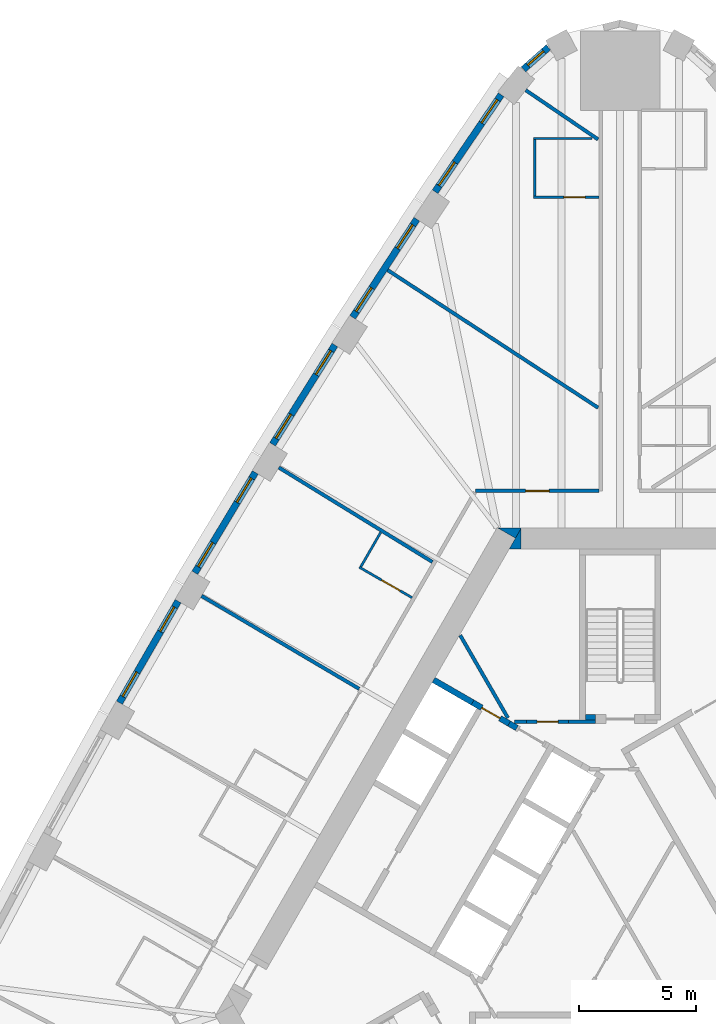
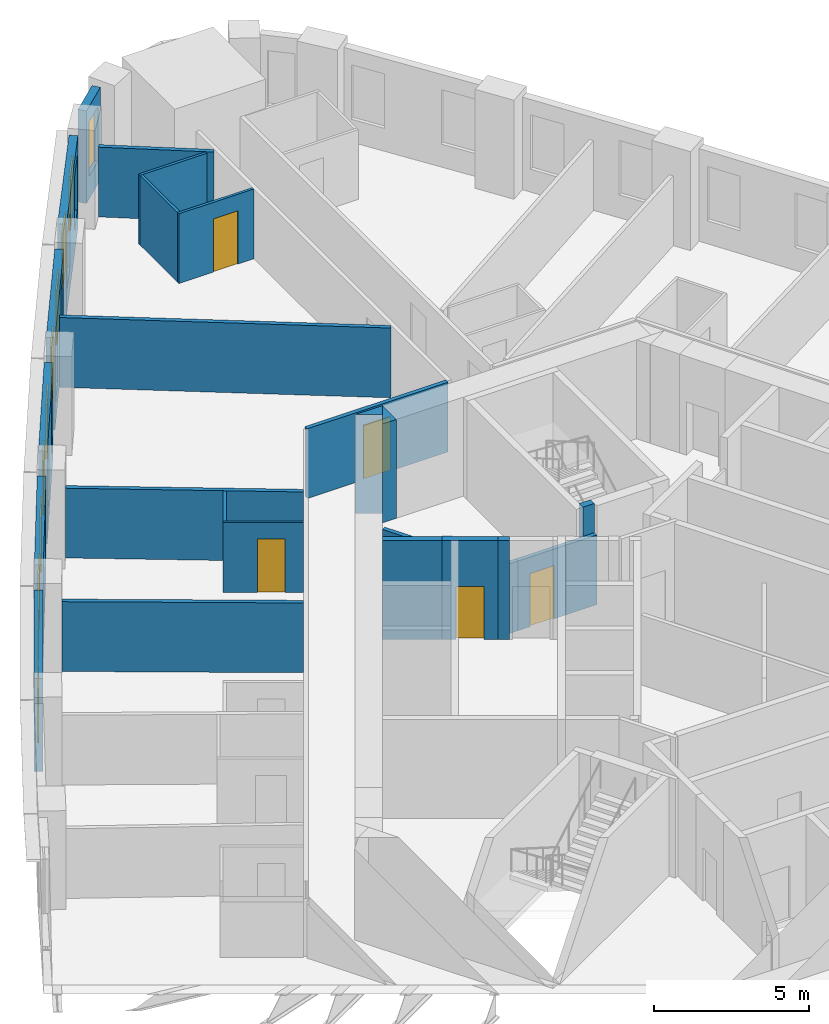
# One storey, part 9 of 12: 26 walls, 11 windows, 5 doors, 16 openings.
"""IFC4 building model written with IfcOpenShell, lengths in metres."""

from ifc_helpers import new_model, si_unit, direction, frame, frame_2d, origin, place, context, subcontext, project, spatial, polyline, rectangle, outline, extrude, material, layer, layer_set, type_object, element, fill, save


model = new_model("IFC4")

# Units and contexts
model_context = context("Model", 3, precision=1e-05, world=origin(), true_north=direction((0.0, 1.0)))
body_context = subcontext(model_context, "Body", "Model", "MODEL_VIEW")
ifc_project = project(units=[si_unit("LENGTHUNIT", "METRE"), si_unit("AREAUNIT", "SQUARE_METRE"), si_unit("VOLUMEUNIT", "CUBIC_METRE"), si_unit("PLANEANGLEUNIT", "RADIAN"), si_unit("MASSUNIT", "GRAM", prefix="KILO")], contexts=[model_context])

# Site, building, storey
site_placement = place(None, origin())
site = spatial("IfcSite", under=ifc_project, at=site_placement, CompositionType="ELEMENT")
building_placement = place(site_placement, origin())
building = spatial("IfcBuilding", under=site, at=building_placement, Name="Mestral Congress Tower", CompositionType="ELEMENT")
storey_placement = place(building_placement, frame((0.0, 0.0, 47.10009765625)))
storey = spatial("IfcBuildingStorey", under=building, at=storey_placement, Name="L10", CompositionType="ELEMENT", Elevation=47.10009765625)

# Walls
ifc_material_1 = material(Name="Fire-rated board partition")
ifc_layer_1 = layer(ifc_material_1, 0.14990234375)
ifc_layer_set_1 = layer_set([ifc_layer_1], Name="Fire-rated board partition")
wall_type_1 = type_object("IfcWallType", Name="Core partition 150", PredefinedType="PARTITIONING", material=ifc_layer_set_1)
wall_1_placement = place(storey_placement, frame((-2.195068359375, 8.62548828125, 0.0), z_axis=(0.0, 0.0, 1.0), x_axis=(1.0, 0.0, 0.0)))
element("IfcWall", 1, at=wall_1_placement, inside=storey, type_object=wall_type_1, Name="L10 core wall", PredefinedType="PARTITIONING", context=body_context, shape_type="SweptSolid", body=[
    extrude(rectangle(XDim=1.14501953125, YDim=0.14990234375, at=frame_2d((0.572509765625, 0.0))), origin(), (0.0, 0.0, 1.0), 2.75),
])
wall_2_placement = place(storey_placement, frame((-6.8232421875, 12.318115234375, 0.0), z_axis=(0.0, 0.0, 1.0), x_axis=(0.500007885066, -0.866020851292, 0.0)))
element("IfcWall", 2, at=wall_2_placement, inside=storey, type_object=wall_type_1, Name="L10 core wall", PredefinedType="PARTITIONING", context=body_context, shape_type="SweptSolid", body=[
    extrude(rectangle(XDim=4.072265625, YDim=0.14990234375, at=frame_2d((2.0361328125, 0.0))), origin(), (0.0, 0.0, 1.0), 2.75),
])
wall_3_placement = place(storey_placement, frame((-4.497802734375, 8.625244140625, 0.0), z_axis=(0.0, 0.0, 1.0), x_axis=(1.0, 0.0, 0.0)))
element("IfcWall", 3, at=wall_3_placement, inside=storey, type_object=wall_type_1, Name="L10 core wall", PredefinedType="PARTITIONING", context=body_context, shape_type="SweptSolid", body=[
    extrude(rectangle(XDim=0.50244140625, YDim=0.14990234375, at=frame_2d((0.251220703125, 0.0))), origin(), (0.0, 0.0, 1.0), 2.75),
])

# Wall, opening, door
wall_4_placement = place(storey_placement, frame((-2.1953125, 8.625, 0.0), z_axis=(0.0, 0.0, 1.0), x_axis=(-1.0, 0.0, 0.0)))
wall_4 = element("IfcWall", 4, at=wall_4_placement, inside=storey, type_object=wall_type_1, Name="L10 door wall", PredefinedType="PARTITIONING", context=body_context, shape_type="SweptSolid", body=[
    extrude(rectangle(XDim=1.7998046875, YDim=0.14990234375, at=frame_2d((0.89990234375, 0.0))), origin(), (0.0, 0.0, 1.0), 2.75),
])
opening_1_placement = place(wall_4_placement, frame((0.449951171875, 0.0, 0.0)))
opening_1 = element("IfcOpeningElement", 5, at=opening_1_placement, cuts=wall_4, Name="Opening TD2", PredefinedType="OPENING", context=body_context, shape_type="SweptSolid", body=[
    extrude(rectangle(XDim=0.89990234375, YDim=2.10009765625, at=frame_2d((0.449951171875, 1.050048828125))), frame((0.0, 0.0849609375, 0.0), z_axis=(0.0, -1.0, 0.0), x_axis=(1.0, 0.0, 0.0)), (0.0, 0.0, 1.0), 0.169921875),
])
ifc_material_2 = material(Name="Fire-rated steel door set", Category="steel")
door_type_1 = type_object("IfcDoorType", Name="Core door SR 900x2100", OperationType="SINGLE_SWING_LEFT", PredefinedType="DOOR", material=ifc_material_2)
door_1_placement = place(opening_1_placement, origin())
door_1 = element("IfcDoor", 6, at=door_1_placement, inside=storey, type_object=door_type_1, Name="Door TD2", OperationType="SINGLE_SWING_LEFT", OverallHeight=2.10009765625, OverallWidth=0.89990234375, PredefinedType="DOOR", context=body_context, shape_type="SweptSolid", body=[
    extrude(rectangle(XDim=0.89990234375, YDim=2.10009765625, at=frame_2d((0.449951171875, 1.050048828125))), frame((0.0, 0.02490234375, 0.0), z_axis=(0.0, -1.0, 0.0), x_axis=(1.0, 0.0, 0.0)), (0.0, 0.0, 1.0), 0.050048828125),
])
fill(opening_1, door_1)

# Walls
ifc_material_3 = material(Name="Concrete C60/75", Category="concrete")
ifc_layer_2 = layer(ifc_material_3, 0.89990234375)
ifc_layer_set_2 = layer_set([ifc_layer_2], Name="Concrete C60/75")
wall_type_2 = type_object("IfcWallType", Name="Core wall RC 900", PredefinedType="SOLIDWALL", material=ifc_layer_set_2)
placement = place(storey_placement, origin())
element("IfcWall", 7, at=placement, inside=storey, type_object=wall_type_2, Name="L10 core wall", PredefinedType="SOLIDWALL", context=body_context, shape_type="SweptSolid", body=[
    extrude(outline(polyline([(-4.214599609375, 16.89990234375), (-4.46875, 16.460205078125), (-5.230712890625, 16.89990234375), (-4.214599609375, 16.89990234375)])), origin(), (0.0, 0.0, 1.0), 3.89990234375),
])
element("IfcWall", 8, at=placement, inside=storey, type_object=wall_type_2, Name="L10 core wall", PredefinedType="SOLIDWALL", context=body_context, shape_type="SweptSolid", body=[
    extrude(outline(polyline([(-4.734375, 16.0), (-4.226318359375, 16.8798828125), (-4.226318359375, 16.0), (-4.734375, 16.0)])), origin(), (0.0, 0.0, 1.0), 3.89990234375),
])

# Wall, opening, window
ifc_material_4 = material(Name="Precast concrete C40/50 with limestone facing", Category="masonry")
ifc_layer_3 = layer(ifc_material_4, 0.2900390625)
ifc_layer_set_3 = layer_set([ifc_layer_3], Name="Precast concrete C40/50 with limestone facing")
wall_type_3 = type_object("IfcWallType", Name="Facade stone wall 290", PredefinedType="SOLIDWALL", material=ifc_layer_set_3)
wall_7_placement = place(storey_placement, frame((-3.064453125, 37.395263671875, 0.0), z_axis=(0.0, 0.0, 1.0), x_axis=(-0.749812680302, -0.661650167731, 0.0)))
wall_7 = element("IfcWall", 9, at=wall_7_placement, inside=storey, type_object=wall_type_3, Name="Facade wall K1-3", PredefinedType="SOLIDWALL", context=body_context, shape_type="SweptSolid", body=[
    extrude(rectangle(XDim=1.4150390625, YDim=0.2900390625, at=frame_2d((0.70751953125, 0.0))), origin(), (0.0, 0.0, 1.0), 3.64990234375),
])
opening_2_placement = place(wall_7_placement, frame((0.257568359375, 0.0, 0.89990234375)))
opening_2 = element("IfcOpeningElement", 10, at=opening_2_placement, cuts=wall_7, Name="Opening W3", PredefinedType="OPENING", context=body_context, shape_type="SweptSolid", body=[
    extrude(rectangle(XDim=0.89990234375, YDim=2.14990234375, at=frame_2d((0.449951171875, 1.074951171875))), frame((0.0, 0.155029296875, 0.0), z_axis=(0.0, -1.0, 0.0), x_axis=(1.0, 0.0, 0.0)), (0.0, 0.0, 1.0), 0.31005859375),
])
ifc_material_5 = material(Name="Clear low-emissivity double glazing", Category="glass")
window_type_1 = type_object("IfcWindowType", Name="Facade punched window 900 x 2150 sill 900", PartitioningType="SINGLE_PANEL", PredefinedType="WINDOW", material=ifc_material_5)
window_1_placement = place(opening_2_placement, origin())
window_1 = element("IfcWindow", 11, at=window_1_placement, inside=storey, type_object=window_type_1, Name="Window K1-3", OverallHeight=2.14990234375, OverallWidth=0.89990234375, PartitioningType="SINGLE_PANEL", PredefinedType="WINDOW", context=body_context, shape_type="SweptSolid", body=[
    extrude(rectangle(XDim=0.89990234375, YDim=2.14990234375, at=frame_2d((0.449951171875, 1.074951171875))), frame((0.0, 0.01513671875, 0.0), z_axis=(0.0, -1.0, 0.0), x_axis=(1.0, 0.0, 0.0)), (0.0, 0.0, 1.0), 0.06005859375),
])
fill(opening_2, window_1)

# Wall, openings, windows
wall_8_placement = place(storey_placement, frame((-5.078369140625, 35.37646484375, 0.0), z_axis=(0.0, 0.0, 1.0), x_axis=(-0.562610153679, -0.826722332454, 0.0)))
wall_8 = element("IfcWall", 12, at=wall_8_placement, inside=storey, type_object=wall_type_3, Name="Facade wall F2-00", PredefinedType="SOLIDWALL", context=body_context, shape_type="SweptSolid", body=[
    extrude(rectangle(XDim=5.005615234375, YDim=0.2900390625, at=frame_2d((2.5029296875, 0.0))), origin(), (0.0, 0.0, 1.0), 3.64990234375),
])
opening_3_placement = place(wall_8_placement, frame((0.26513671875, 0.0, 0.89990234375)))
opening_3 = element("IfcOpeningElement", 13, at=opening_3_placement, cuts=wall_8, Name="Opening W1", PredefinedType="OPENING", context=body_context, shape_type="SweptSolid", body=[
    extrude(rectangle(XDim=1.199951171875, YDim=2.14990234375, at=frame_2d((0.60009765625, 1.074951171875))), frame((0.0, 0.155029296875, 0.0), z_axis=(0.0, -1.0, 0.0), x_axis=(1.0, 0.0, 0.0)), (0.0, 0.0, 1.0), 0.31005859375),
])
opening_4_placement = place(wall_8_placement, frame((3.495361328125, 0.0, 0.89990234375)))
opening_4 = element("IfcOpeningElement", 14, at=opening_4_placement, cuts=wall_8, Name="Opening W1", PredefinedType="OPENING", context=body_context, shape_type="SweptSolid", body=[
    extrude(rectangle(XDim=1.199951171875, YDim=2.14990234375, at=frame_2d((0.60009765625, 1.074951171875))), frame((0.0, 0.155029296875, 0.0), z_axis=(0.0, -1.0, 0.0), x_axis=(1.0, 0.0, 0.0)), (0.0, 0.0, 1.0), 0.31005859375),
])
window_type_2 = type_object("IfcWindowType", Name="Facade punched window 1200 x 2150 sill 900", PartitioningType="DOUBLE_PANEL_VERTICAL", PredefinedType="WINDOW", material=ifc_material_5)
window_2_placement = place(opening_3_placement, origin())
window_2 = element("IfcWindow", 15, at=window_2_placement, inside=storey, type_object=window_type_2, Name="Window F2-00a", OverallHeight=2.14990234375, OverallWidth=1.199951171875, PartitioningType="DOUBLE_PANEL_VERTICAL", PredefinedType="WINDOW", context=body_context, shape_type="SweptSolid", body=[
    extrude(rectangle(XDim=1.199951171875, YDim=2.14990234375, at=frame_2d((0.60009765625, 1.074951171875))), frame((0.0, 0.01513671875, 0.0), z_axis=(0.0, -1.0, 0.0), x_axis=(1.0, 0.0, 0.0)), (0.0, 0.0, 1.0), 0.06005859375),
])
fill(opening_3, window_2)
window_3_placement = place(opening_4_placement, origin())
window_3 = element("IfcWindow", 16, at=window_3_placement, inside=storey, type_object=window_type_2, Name="Window F2-00b", OverallHeight=2.14990234375, OverallWidth=1.199951171875, PartitioningType="DOUBLE_PANEL_VERTICAL", PredefinedType="WINDOW", context=body_context, shape_type="SweptSolid", body=[
    extrude(rectangle(XDim=1.199951171875, YDim=2.14990234375, at=frame_2d((0.60009765625, 1.074951171875))), frame((0.0, 0.01513671875, 0.0), z_axis=(0.0, -1.0, 0.0), x_axis=(1.0, 0.0, 0.0)), (0.0, 0.0, 1.0), 0.06005859375),
])
fill(opening_4, window_3)

wall_9_placement = place(storey_placement, frame((-8.675537109375, 30.067626953125, 0.0), z_axis=(0.0, 0.0, 1.0), x_axis=(-0.547204617628, -0.836998868845, 0.0)))
wall_9 = element("IfcWall", 17, at=wall_9_placement, inside=storey, type_object=wall_type_3, Name="Facade wall F2-01", PredefinedType="SOLIDWALL", context=body_context, shape_type="SweptSolid", body=[
    extrude(rectangle(XDim=4.998291015625, YDim=0.2900390625, at=frame_2d((2.4990234375, 0.0))), origin(), (0.0, 0.0, 1.0), 3.64990234375),
])
opening_5_placement = place(wall_9_placement, frame((0.297119140625, 0.0, 0.89990234375)))
opening_5 = element("IfcOpeningElement", 18, at=opening_5_placement, cuts=wall_9, Name="Opening W1", PredefinedType="OPENING", context=body_context, shape_type="SweptSolid", body=[
    extrude(rectangle(XDim=1.199951171875, YDim=2.14990234375, at=frame_2d((0.60009765625, 1.074951171875))), frame((0.0, 0.155029296875, 0.0), z_axis=(0.0, -1.0, 0.0), x_axis=(1.0, 0.0, 0.0)), (0.0, 0.0, 1.0), 0.31005859375),
])
opening_6_placement = place(wall_9_placement, frame((3.501220703125, 0.0, 0.89990234375)))
opening_6 = element("IfcOpeningElement", 19, at=opening_6_placement, cuts=wall_9, Name="Opening W1", PredefinedType="OPENING", context=body_context, shape_type="SweptSolid", body=[
    extrude(rectangle(XDim=1.199951171875, YDim=2.14990234375, at=frame_2d((0.60009765625, 1.074951171875))), frame((0.0, 0.155029296875, 0.0), z_axis=(0.0, -1.0, 0.0), x_axis=(1.0, 0.0, 0.0)), (0.0, 0.0, 1.0), 0.31005859375),
])
window_4_placement = place(opening_5_placement, origin())
window_4 = element("IfcWindow", 20, at=window_4_placement, inside=storey, type_object=window_type_2, Name="Window F2-01a", OverallHeight=2.14990234375, OverallWidth=1.199951171875, PartitioningType="DOUBLE_PANEL_VERTICAL", PredefinedType="WINDOW", context=body_context, shape_type="SweptSolid", body=[
    extrude(rectangle(XDim=1.199951171875, YDim=2.14990234375, at=frame_2d((0.60009765625, 1.074951171875))), frame((0.0, 0.01513671875, 0.0), z_axis=(0.0, -1.0, 0.0), x_axis=(1.0, 0.0, 0.0)), (0.0, 0.0, 1.0), 0.06005859375),
])
fill(opening_5, window_4)
window_5_placement = place(opening_6_placement, origin())
window_5 = element("IfcWindow", 21, at=window_5_placement, inside=storey, type_object=window_type_2, Name="Window F2-01b", OverallHeight=2.14990234375, OverallWidth=1.199951171875, PartitioningType="DOUBLE_PANEL_VERTICAL", PredefinedType="WINDOW", context=body_context, shape_type="SweptSolid", body=[
    extrude(rectangle(XDim=1.199951171875, YDim=2.14990234375, at=frame_2d((0.60009765625, 1.074951171875))), frame((0.0, 0.01513671875, 0.0), z_axis=(0.0, -1.0, 0.0), x_axis=(1.0, 0.0, 0.0)), (0.0, 0.0, 1.0), 0.06005859375),
])
fill(opening_6, window_5)

wall_10_placement = place(storey_placement, frame((-12.169921875, 24.69921875, 0.0), z_axis=(0.0, 0.0, 1.0), x_axis=(-0.531688286542, -0.846940119462, 0.0)))
wall_10 = element("IfcWall", 22, at=wall_10_placement, inside=storey, type_object=wall_type_3, Name="Facade wall F2-02", PredefinedType="SOLIDWALL", context=body_context, shape_type="SweptSolid", body=[
    extrude(rectangle(XDim=4.998291015625, YDim=0.2900390625, at=frame_2d((2.4990234375, 0.0))), origin(), (0.0, 0.0, 1.0), 3.64990234375),
])
opening_7_placement = place(wall_10_placement, frame((0.297119140625, 0.0, 0.89990234375)))
opening_7 = element("IfcOpeningElement", 23, at=opening_7_placement, cuts=wall_10, Name="Opening W1", PredefinedType="OPENING", context=body_context, shape_type="SweptSolid", body=[
    extrude(rectangle(XDim=1.199951171875, YDim=2.14990234375, at=frame_2d((0.60009765625, 1.074951171875))), frame((0.0, 0.155029296875, 0.0), z_axis=(0.0, -1.0, 0.0), x_axis=(1.0, 0.0, 0.0)), (0.0, 0.0, 1.0), 0.31005859375),
])
opening_8_placement = place(wall_10_placement, frame((3.501220703125, 0.0, 0.89990234375)))
opening_8 = element("IfcOpeningElement", 24, at=opening_8_placement, cuts=wall_10, Name="Opening W1", PredefinedType="OPENING", context=body_context, shape_type="SweptSolid", body=[
    extrude(rectangle(XDim=1.199951171875, YDim=2.14990234375, at=frame_2d((0.60009765625, 1.074951171875))), frame((0.0, 0.155029296875, 0.0), z_axis=(0.0, -1.0, 0.0), x_axis=(1.0, 0.0, 0.0)), (0.0, 0.0, 1.0), 0.31005859375),
])
window_6_placement = place(opening_7_placement, origin())
window_6 = element("IfcWindow", 25, at=window_6_placement, inside=storey, type_object=window_type_2, Name="Window F2-02a", OverallHeight=2.14990234375, OverallWidth=1.199951171875, PartitioningType="DOUBLE_PANEL_VERTICAL", PredefinedType="WINDOW", context=body_context, shape_type="SweptSolid", body=[
    extrude(rectangle(XDim=1.199951171875, YDim=2.14990234375, at=frame_2d((0.60009765625, 1.074951171875))), frame((0.0, 0.01513671875, 0.0), z_axis=(0.0, -1.0, 0.0), x_axis=(1.0, 0.0, 0.0)), (0.0, 0.0, 1.0), 0.06005859375),
])
fill(opening_7, window_6)
window_7_placement = place(opening_8_placement, origin())
window_7 = element("IfcWindow", 26, at=window_7_placement, inside=storey, type_object=window_type_2, Name="Window F2-02b", OverallHeight=2.14990234375, OverallWidth=1.199951171875, PartitioningType="DOUBLE_PANEL_VERTICAL", PredefinedType="WINDOW", context=body_context, shape_type="SweptSolid", body=[
    extrude(rectangle(XDim=1.199951171875, YDim=2.14990234375, at=frame_2d((0.60009765625, 1.074951171875))), frame((0.0, 0.01513671875, 0.0), z_axis=(0.0, -1.0, 0.0), x_axis=(1.0, 0.0, 0.0)), (0.0, 0.0, 1.0), 0.06005859375),
])
fill(opening_8, window_7)

wall_11_placement = place(storey_placement, frame((-15.564453125, 19.267333984375, 0.0), z_axis=(0.0, 0.0, 1.0), x_axis=(-0.515938796285, -0.856625448191, 0.0)))
wall_11 = element("IfcWall", 27, at=wall_11_placement, inside=storey, type_object=wall_type_3, Name="Facade wall F2-03", PredefinedType="SOLIDWALL", context=body_context, shape_type="SweptSolid", body=[
    extrude(rectangle(XDim=4.998291015625, YDim=0.2900390625, at=frame_2d((2.4990234375, 0.0))), origin(), (0.0, 0.0, 1.0), 3.64990234375),
])
opening_9_placement = place(wall_11_placement, frame((0.297119140625, 0.0, 0.89990234375)))
opening_9 = element("IfcOpeningElement", 28, at=opening_9_placement, cuts=wall_11, Name="Opening W1", PredefinedType="OPENING", context=body_context, shape_type="SweptSolid", body=[
    extrude(rectangle(XDim=1.199951171875, YDim=2.14990234375, at=frame_2d((0.60009765625, 1.074951171875))), frame((0.0, 0.155029296875, 0.0), z_axis=(0.0, -1.0, 0.0), x_axis=(1.0, 0.0, 0.0)), (0.0, 0.0, 1.0), 0.31005859375),
])
opening_10_placement = place(wall_11_placement, frame((3.501220703125, 0.0, 0.89990234375)))
opening_10 = element("IfcOpeningElement", 29, at=opening_10_placement, cuts=wall_11, Name="Opening W1", PredefinedType="OPENING", context=body_context, shape_type="SweptSolid", body=[
    extrude(rectangle(XDim=1.199951171875, YDim=2.14990234375, at=frame_2d((0.60009765625, 1.074951171875))), frame((0.0, 0.155029296875, 0.0), z_axis=(0.0, -1.0, 0.0), x_axis=(1.0, 0.0, 0.0)), (0.0, 0.0, 1.0), 0.31005859375),
])
window_8_placement = place(opening_9_placement, origin())
window_8 = element("IfcWindow", 30, at=window_8_placement, inside=storey, type_object=window_type_2, Name="Window F2-03a", OverallHeight=2.14990234375, OverallWidth=1.199951171875, PartitioningType="DOUBLE_PANEL_VERTICAL", PredefinedType="WINDOW", context=body_context, shape_type="SweptSolid", body=[
    extrude(rectangle(XDim=1.199951171875, YDim=2.14990234375, at=frame_2d((0.60009765625, 1.074951171875))), frame((0.0, 0.01513671875, 0.0), z_axis=(0.0, -1.0, 0.0), x_axis=(1.0, 0.0, 0.0)), (0.0, 0.0, 1.0), 0.06005859375),
])
fill(opening_9, window_8)
window_9_placement = place(opening_10_placement, origin())
window_9 = element("IfcWindow", 31, at=window_9_placement, inside=storey, type_object=window_type_2, Name="Window F2-03b", OverallHeight=2.14990234375, OverallWidth=1.199951171875, PartitioningType="DOUBLE_PANEL_VERTICAL", PredefinedType="WINDOW", context=body_context, shape_type="SweptSolid", body=[
    extrude(rectangle(XDim=1.199951171875, YDim=2.14990234375, at=frame_2d((0.60009765625, 1.074951171875))), frame((0.0, 0.01513671875, 0.0), z_axis=(0.0, -1.0, 0.0), x_axis=(1.0, 0.0, 0.0)), (0.0, 0.0, 1.0), 0.06005859375),
])
fill(opening_10, window_9)

wall_12_placement = place(storey_placement, frame((-18.85791015625, 13.7734375, 0.0), z_axis=(0.0, 0.0, 1.0), x_axis=(-0.50002123722, -0.866013142123, 0.0)))
wall_12 = element("IfcWall", 32, at=wall_12_placement, inside=storey, type_object=wall_type_3, Name="Facade wall F2-04", PredefinedType="SOLIDWALL", context=body_context, shape_type="SweptSolid", body=[
    extrude(rectangle(XDim=4.998291015625, YDim=0.2900390625, at=frame_2d((2.4990234375, 0.0))), origin(), (0.0, 0.0, 1.0), 3.64990234375),
])
opening_11_placement = place(wall_12_placement, frame((0.297119140625, 0.0, 0.89990234375)))
opening_11 = element("IfcOpeningElement", 33, at=opening_11_placement, cuts=wall_12, Name="Opening W1", PredefinedType="OPENING", context=body_context, shape_type="SweptSolid", body=[
    extrude(rectangle(XDim=1.199951171875, YDim=2.14990234375, at=frame_2d((0.60009765625, 1.074951171875))), frame((0.0, 0.155029296875, 0.0), z_axis=(0.0, -1.0, 0.0), x_axis=(1.0, 0.0, 0.0)), (0.0, 0.0, 1.0), 0.31005859375),
])
opening_12_placement = place(wall_12_placement, frame((3.501220703125, 0.0, 0.89990234375)))
opening_12 = element("IfcOpeningElement", 34, at=opening_12_placement, cuts=wall_12, Name="Opening W1", PredefinedType="OPENING", context=body_context, shape_type="SweptSolid", body=[
    extrude(rectangle(XDim=1.199951171875, YDim=2.14990234375, at=frame_2d((0.60009765625, 1.074951171875))), frame((0.0, 0.155029296875, 0.0), z_axis=(0.0, -1.0, 0.0), x_axis=(1.0, 0.0, 0.0)), (0.0, 0.0, 1.0), 0.31005859375),
])
window_10_placement = place(opening_11_placement, origin())
window_10 = element("IfcWindow", 35, at=window_10_placement, inside=storey, type_object=window_type_2, Name="Window F2-04a", OverallHeight=2.14990234375, OverallWidth=1.199951171875, PartitioningType="DOUBLE_PANEL_VERTICAL", PredefinedType="WINDOW", context=body_context, shape_type="SweptSolid", body=[
    extrude(rectangle(XDim=1.199951171875, YDim=2.14990234375, at=frame_2d((0.60009765625, 1.074951171875))), frame((0.0, 0.01513671875, 0.0), z_axis=(0.0, -1.0, 0.0), x_axis=(1.0, 0.0, 0.0)), (0.0, 0.0, 1.0), 0.06005859375),
])
fill(opening_11, window_10)
window_11_placement = place(opening_12_placement, origin())
window_11 = element("IfcWindow", 36, at=window_11_placement, inside=storey, type_object=window_type_2, Name="Window F2-04b", OverallHeight=2.14990234375, OverallWidth=1.199951171875, PartitioningType="DOUBLE_PANEL_VERTICAL", PredefinedType="WINDOW", context=body_context, shape_type="SweptSolid", body=[
    extrude(rectangle(XDim=1.199951171875, YDim=2.14990234375, at=frame_2d((0.60009765625, 1.074951171875))), frame((0.0, 0.01513671875, 0.0), z_axis=(0.0, -1.0, 0.0), x_axis=(1.0, 0.0, 0.0)), (0.0, 0.0, 1.0), 0.06005859375),
])
fill(opening_12, window_11)

# Wall, opening, door
ifc_material_6 = material(Name="Gypsum board partition on metal studs with mineral wool", Category="composite")
ifc_layer_4 = layer(ifc_material_6, 0.10009765625)
ifc_layer_set_4 = layer_set([ifc_layer_4], Name="Gypsum board partition on metal studs with mineral wool")
wall_type_4 = type_object("IfcWallType", Name="Hotel partition wall 100", PredefinedType="PARTITIONING", material=ifc_layer_set_4)
wall_13_placement = place(storey_placement, frame((-3.699951171875, 31.008544921875, 0.0), z_axis=(0.0, 0.0, 1.0), x_axis=(1.0, 0.0, 0.0)))
wall_13 = element("IfcWall", 37, at=wall_13_placement, inside=storey, type_object=wall_type_4, Name="L10-h-pod19a", PredefinedType="PARTITIONING", context=body_context, shape_type="SweptSolid", body=[
    extrude(rectangle(XDim=2.800048828125, YDim=0.10009765625, at=frame_2d((1.39990234375, 0.0))), origin(), (0.0, 0.0, 1.0), 2.75),
])
opening_13_placement = place(wall_13_placement, frame((1.300048828125, 0.0, 0.0)))
opening_13 = element("IfcOpeningElement", 38, at=opening_13_placement, cuts=wall_13, Name="Opening H02-031", PredefinedType="OPENING", context=body_context, shape_type="SweptSolid", body=[
    extrude(rectangle(XDim=0.89990234375, YDim=2.10009765625, at=frame_2d((0.449951171875, 1.050048828125))), frame((0.0, 0.06005859375, 0.0), z_axis=(0.0, -1.0, 0.0), x_axis=(1.0, 0.0, 0.0)), (0.0, 0.0, 1.0), 0.1201171875),
])
ifc_material_7 = material(Name="Timber veneer door leaf in timber frame", Category="wood")
door_type_2 = type_object("IfcDoorType", Name="Bathroom door 900", OperationType="SINGLE_SWING_LEFT", PredefinedType="DOOR", material=ifc_material_7)
door_2_placement = place(opening_13_placement, origin())
door_2 = element("IfcDoor", 39, at=door_2_placement, inside=storey, type_object=door_type_2, Name="L10-h-d031", OperationType="SINGLE_SWING_LEFT", OverallHeight=2.10009765625, OverallWidth=0.89990234375, PredefinedType="DOOR", context=body_context, shape_type="SweptSolid", body=[
    extrude(rectangle(XDim=0.89990234375, YDim=2.10009765625, at=frame_2d((0.449951171875, 1.050048828125))), frame((0.0, 0.02490234375, 0.0), z_axis=(0.0, -1.0, 0.0), x_axis=(1.0, 0.0, 0.0)), (0.0, 0.0, 1.0), 0.050048828125),
])
fill(opening_13, door_2)

# Walls
wall_14_placement = place(storey_placement, frame((-3.64990234375, 31.05859375, 0.0), z_axis=(0.0, 0.0, 1.0), x_axis=(0.0, 1.0, 0.0)))
element("IfcWall", 40, at=wall_14_placement, inside=storey, type_object=wall_type_4, Name="L10-h-pod19b", PredefinedType="PARTITIONING", context=body_context, shape_type="SweptSolid", body=[
    extrude(rectangle(XDim=2.39990234375, YDim=0.10009765625, at=frame_2d((1.199951171875, 0.0))), origin(), (0.0, 0.0, 1.0), 2.75),
])
wall_15_placement = place(storey_placement, frame((-1.199951171875, 33.508544921875, 0.0), z_axis=(0.0, 0.0, 1.0), x_axis=(-1.0, 0.0, 0.0)))
element("IfcWall", 41, at=wall_15_placement, inside=storey, type_object=wall_type_4, Name="L10-h-pod19c", PredefinedType="PARTITIONING", context=body_context, shape_type="SweptSolid", body=[
    extrude(rectangle(XDim=2.5, YDim=0.10009765625, at=frame_2d((1.25, 0.0))), origin(), (0.0, 0.0, 1.0), 2.75),
])

# Wall, opening, door
wall_16_placement = place(storey_placement, frame((-11.12890625, 15.22412109375, 0.0), z_axis=(0.0, 0.0, 1.0), x_axis=(0.866021400173, -0.500006934395, 0.0)))
wall_16 = element("IfcWall", 42, at=wall_16_placement, inside=storey, type_object=wall_type_4, Name="L10-h-pod21a", PredefinedType="PARTITIONING", context=body_context, shape_type="SweptSolid", body=[
    extrude(rectangle(XDim=2.60009765625, YDim=0.10009765625, at=frame_2d((1.300048828125, 0.0))), origin(), (0.0, 0.0, 1.0), 2.75),
])
opening_14_placement = place(wall_16_placement, frame((1.10009765625, 0.0, 0.0)))
opening_14 = element("IfcOpeningElement", 43, at=opening_14_placement, cuts=wall_16, Name="Opening H02-034", PredefinedType="OPENING", context=body_context, shape_type="SweptSolid", body=[
    extrude(rectangle(XDim=0.89990234375, YDim=2.10009765625, at=frame_2d((0.449951171875, 1.050048828125))), frame((0.0, 0.06005859375, 0.0), z_axis=(0.0, -1.0, 0.0), x_axis=(1.0, 0.0, 0.0)), (0.0, 0.0, 1.0), 0.1201171875),
])
door_3_placement = place(opening_14_placement, origin())
door_3 = element("IfcDoor", 44, at=door_3_placement, inside=storey, type_object=door_type_2, Name="L10-h-d034", OperationType="SINGLE_SWING_RIGHT", OverallHeight=2.10009765625, OverallWidth=0.89990234375, PredefinedType="DOOR", context=body_context, shape_type="SweptSolid", body=[
    extrude(rectangle(XDim=0.89990234375, YDim=2.10009765625, at=frame_2d((0.449951171875, 1.050048828125))), frame((0.0, 0.02490234375, 0.0), z_axis=(0.0, -1.0, 0.0), x_axis=(1.0, 0.0, 0.0)), (0.0, 0.0, 1.0), 0.050048828125),
])
fill(opening_14, door_3)

# Wall
wall_17_placement = place(storey_placement, frame((-11.060791015625, 15.2421875, 0.0), z_axis=(0.0, 0.0, 1.0), x_axis=(0.499976720371, 0.866038843867, 0.0)))
element("IfcWall", 45, at=wall_17_placement, inside=storey, type_object=wall_type_4, Name="L10-h-pod21b", PredefinedType="PARTITIONING", context=body_context, shape_type="SweptSolid", body=[
    extrude(rectangle(XDim=1.68994140625, YDim=0.10009765625, at=frame_2d((0.844970703125, 0.0))), origin(), (0.0, 0.0, 1.0), 2.75),
])

# Wall, opening, door
ifc_layer_5 = layer(ifc_material_6, 0.14990234375)
ifc_layer_set_5 = layer_set([ifc_layer_5], Name="Gypsum board partition on metal studs with mineral wool")
wall_type_5 = type_object("IfcWallType", Name="Hotel partition wall 150", PredefinedType="PARTITIONING", material=ifc_layer_set_5)
wall_18_placement = place(storey_placement, frame((-6.1630859375, 18.47509765625, 0.0), z_axis=(0.0, 0.0, 1.0), x_axis=(1.0, 0.0, 0.0)))
wall_18 = element("IfcWall", 46, at=wall_18_placement, inside=storey, type_object=wall_type_5, Name="L10-h-cw07", PredefinedType="PARTITIONING", context=body_context, shape_type="SweptSolid", body=[
    extrude(rectangle(XDim=5.258056640625, YDim=0.14990234375, at=frame_2d((2.62890625, 0.0))), origin(), (0.0, 0.0, 1.0), 2.75),
])
opening_15_placement = place(wall_18_placement, frame((2.129150390625, 0.0, 0.0)))
opening_15 = element("IfcOpeningElement", 47, at=opening_15_placement, cuts=wall_18, Name="Opening H02-032", PredefinedType="OPENING", context=body_context, shape_type="SweptSolid", body=[
    extrude(rectangle(XDim=1.0, YDim=2.10009765625, at=frame_2d((0.5, 1.050048828125))), frame((0.0, 0.0849609375, 0.0), z_axis=(0.0, -1.0, 0.0), x_axis=(1.0, 0.0, 0.0)), (0.0, 0.0, 1.0), 0.169921875),
])
ifc_material_8 = material(Name="Timber veneer door leaf in metal frame", Category="wood")
door_type_3 = type_object("IfcDoorType", Name="Guest room entrance door 1000", OperationType="SINGLE_SWING_LEFT", PredefinedType="DOOR", material=ifc_material_8)
door_4_placement = place(opening_15_placement, origin())
door_4 = element("IfcDoor", 48, at=door_4_placement, inside=storey, type_object=door_type_3, Name="L10-h-d032", OperationType="SINGLE_SWING_RIGHT", OverallHeight=2.10009765625, OverallWidth=1.0, PredefinedType="DOOR", context=body_context, shape_type="SweptSolid", body=[
    extrude(rectangle(XDim=1.0, YDim=2.10009765625, at=frame_2d((0.5, 1.050048828125))), frame((0.0, 0.02490234375, 0.0), z_axis=(0.0, -1.0, 0.0), x_axis=(1.0, 0.0, 0.0)), (0.0, 0.0, 1.0), 0.050048828125),
])
fill(opening_15, door_4)

# Walls
wall_19_placement = place(storey_placement, frame((-17.85595703125, 13.999267578125, 0.0), z_axis=(0.0, 0.0, 1.0), x_axis=(0.861371519381, -0.507975497047, 0.0)))
element("IfcWall", 49, at=wall_19_placement, inside=storey, type_object=wall_type_5, Name="L10-h-pw09", PredefinedType="PARTITIONING", context=body_context, shape_type="SweptSolid", body=[
    extrude(rectangle(XDim=7.8037109375, YDim=0.14990234375, at=frame_2d((3.90185546875, 0.0))), origin(), (0.0, 0.0, 1.0), 2.75),
])
wall_20_placement = place(storey_placement, frame((-14.55810546875, 19.474609375, 0.0), z_axis=(0.0, 0.0, 1.0), x_axis=(0.851829455142, -0.523819223925, 0.0)))
element("IfcWall", 50, at=wall_20_placement, inside=storey, type_object=wall_type_5, Name="L10-h-pw11", PredefinedType="PARTITIONING", context=body_context, shape_type="SweptSolid", body=[
    extrude(rectangle(XDim=7.68798828125, YDim=0.14990234375, at=frame_2d((3.843994140625, 0.0))), origin(), (0.0, 0.0, 1.0), 2.75),
])
wall_21_placement = place(storey_placement, frame((-9.921630859375, 27.896484375, 0.0), z_axis=(0.0, 0.0, 1.0), x_axis=(0.836970816595, -0.547247523675, 0.0)))
element("IfcWall", 51, at=wall_21_placement, inside=storey, type_object=wall_type_5, Name="L10-h-pw12", PredefinedType="PARTITIONING", context=body_context, shape_type="SweptSolid", body=[
    extrude(rectangle(XDim=10.728759765625, YDim=0.14990234375, at=frame_2d((5.3642578125, 0.0))), origin(), (0.0, 0.0, 1.0), 2.75),
])
wall_22_placement = place(storey_placement, frame((-4.02783203125, 35.56884765625, 0.0), z_axis=(0.0, 0.0, 1.0), x_axis=(0.826730622998, -0.562597971021, 0.0)))
element("IfcWall", 52, at=wall_22_placement, inside=storey, type_object=wall_type_5, Name="L10-h-pw13", PredefinedType="PARTITIONING", context=body_context, shape_type="SweptSolid", body=[
    extrude(rectangle(XDim=3.7333984375, YDim=0.14990234375, at=frame_2d((1.86669921875, 0.0))), origin(), (0.0, 0.0, 1.0), 2.75),
])
ifc_layer_6 = layer(ifc_material_3, 0.25)
ifc_layer_set_6 = layer_set([ifc_layer_6], Name="Concrete C60/75")
wall_type_6 = type_object("IfcWallType", Name="Shaft wall RC 250", PredefinedType="SOLIDWALL", material=ifc_layer_set_6)
wall_23_placement = place(storey_placement, frame((-6.29638671875, 9.454833984375, 0.0), z_axis=(0.0, 0.0, 1.0), x_axis=(-0.866011930837, 0.500023335103, 0.0)))
element("IfcWall", 53, at=wall_23_placement, inside=storey, type_object=wall_type_6, Name="L10 core wall", PredefinedType="SOLIDWALL", context=body_context, shape_type="SweptSolid", body=[
    extrude(rectangle(XDim=1.919921875, YDim=0.25, at=frame_2d((0.9599609375, 0.0))), origin(), (0.0, 0.0, 1.0), 3.89990234375),
])
wall_24_placement = place(storey_placement, frame((-4.40869140625, 8.364990234375, 0.0), z_axis=(0.0, 0.0, 1.0), x_axis=(-0.866057014183, 0.499945245186, 0.0)))
element("IfcWall", 54, at=wall_24_placement, inside=storey, type_object=wall_type_6, Name="L10 core wall", PredefinedType="SOLIDWALL", context=body_context, shape_type="SweptSolid", body=[
    extrude(rectangle(XDim=0.37939453125, YDim=0.25, at=frame_2d((0.189697265625, 0.0))), origin(), (0.0, 0.0, 1.0), 3.89990234375),
])

# Wall, opening, door
wall_25_placement = place(storey_placement, frame((-4.7373046875, 8.5546875, 0.0), z_axis=(0.0, 0.0, 1.0), x_axis=(-0.865989075817, 0.500062916607, 0.0)))
wall_25 = element("IfcWall", 55, at=wall_25_placement, inside=storey, type_object=wall_type_6, Name="L10 door wall", PredefinedType="SOLIDWALL", context=body_context, shape_type="SweptSolid", body=[
    extrude(rectangle(XDim=1.800048828125, YDim=0.25, at=frame_2d((0.89990234375, 0.0))), origin(), (0.0, 0.0, 1.0), 3.89990234375),
])
opening_16_placement = place(wall_25_placement, frame((0.449951171875, 0.0, 0.0)))
opening_16 = element("IfcOpeningElement", 56, at=opening_16_placement, cuts=wall_25, Name="Opening SD-HUB3", PredefinedType="OPENING", context=body_context, shape_type="SweptSolid", body=[
    extrude(rectangle(XDim=0.89990234375, YDim=2.10009765625, at=frame_2d((0.449951171875, 1.050048828125))), frame((0.0, 0.135009765625, 0.0), z_axis=(0.0, -1.0, 0.0), x_axis=(1.0, 0.0, 0.0)), (0.0, 0.0, 1.0), 0.27001953125),
])
door_5_placement = place(opening_16_placement, origin())
door_5 = element("IfcDoor", 57, at=door_5_placement, inside=storey, type_object=door_type_1, Name="Door SD-HUB3", OperationType="SINGLE_SWING_LEFT", OverallHeight=2.10009765625, OverallWidth=0.89990234375, PredefinedType="DOOR", context=body_context, shape_type="SweptSolid", body=[
    extrude(rectangle(XDim=0.89990234375, YDim=2.10009765625, at=frame_2d((0.449951171875, 1.050048828125))), frame((0.0, 0.02490234375, 0.0), z_axis=(0.0, -1.0, 0.0), x_axis=(1.0, 0.0, 0.0)), (0.0, 0.0, 1.0), 0.050048828125),
])
fill(opening_16, door_5)

# Wall
ifc_layer_7 = layer(ifc_material_3, 0.25)
ifc_layer_set_7 = layer_set([ifc_layer_7], Name="Concrete C60/75")
wall_type_7 = type_object("IfcWallType", Name="Stair wall RC 250", PredefinedType="SOLIDWALL", material=ifc_layer_set_7)
wall_26_placement = place(storey_placement, frame((-1.47509765625, 8.824951171875, 0.0), z_axis=(0.0, 0.0, 1.0), x_axis=(1.0, 0.0, 0.0)))
element("IfcWall", 58, at=wall_26_placement, inside=storey, type_object=wall_type_7, Name="L10 core wall", PredefinedType="SOLIDWALL", context=body_context, shape_type="SweptSolid", body=[
    extrude(rectangle(XDim=0.425048828125, YDim=0.25, at=frame_2d((0.21240234375, 0.0))), origin(), (0.0, 0.0, 1.0), 3.89990234375),
])

save(model, "model.ifc")
